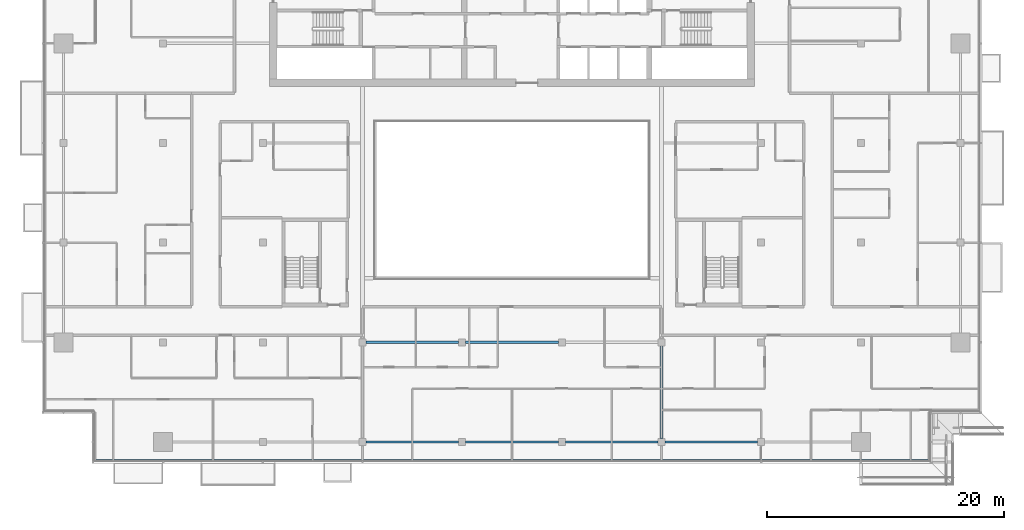
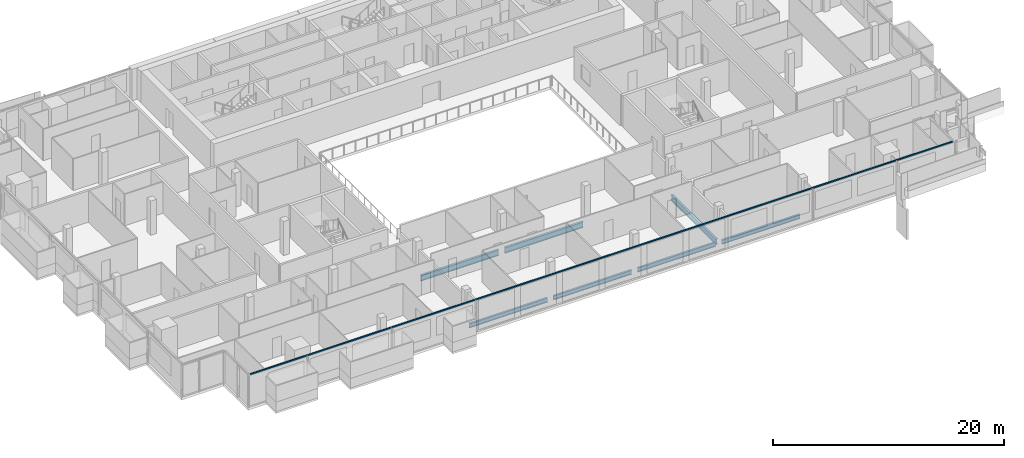
# One storey, part 5 of 30: 7 beams, 1 member, 1 element without a shape of its own.
"""IFC4 building model written with IfcOpenShell, lengths in metres."""

import ifcopenshell
import ifcopenshell.guid

model = None  # the IFC model being written
_history = None  # IfcOwnerHistory: only IFC2X3 demands one
_inside = {}  # id of a spatial element -> (the spatial element, [elements in it])
_under = {}  # id of a project, library or spatial element -> (it, [spatial elements below it])
_declared = {}  # id of a project -> (the project, [libraries it declares])
_typed = {}  # id of a type object -> (the type object, [elements of that type])
_made_of = {}  # id of a material, layer set ... -> (it, [elements and type objects made of it])


def new_model(schema):
    """Start an empty IFC model of exactly this schema.

    Asked for "IFC4X3", IfcOpenShell would pick the latest addendum, in which some entities
    have other attributes; the version numbers below select the first issue.
    IFC2X3 requires an IfcOwnerHistory on every rooted entity: one is made here for all.
    """
    global model, _history
    if schema == "IFC4X3":
        model = ifcopenshell.file(schema_version=(4, 3, 0, 0))
    else:
        model = ifcopenshell.file(schema=schema)
    _inside.clear()
    _under.clear()
    _declared.clear()
    _typed.clear()
    _made_of.clear()
    _history = None
    if model.schema == "IFC2X3":
        org = make("IfcOrganization", Name="unknown")
        user = make(
            "IfcPersonAndOrganization",
            ThePerson=make("IfcPerson", FamilyName="unknown"),
            TheOrganization=org,
        )
        app = make(
            "IfcApplication",
            ApplicationDeveloper=org,
            Version="unknown",
            ApplicationFullName="unknown",
            ApplicationIdentifier="unknown",
        )
        _history = make(
            "IfcOwnerHistory",
            OwningUser=user,
            OwningApplication=app,
            ChangeAction="ADDED",
            CreationDate=0,
        )
    return model


def make(cls, **values):
    """One entity of the class cls with the attributes given. An attribute that is None is left unset."""
    return model.create_entity(
        cls, **{name: value for name, value in values.items() if value is not None}
    )


def rooted(cls, **values):
    """An entity with a GlobalId (a new one), such as an element, a storey or a relation."""
    return make(cls, GlobalId=ifcopenshell.guid.new(), OwnerHistory=_history, **values)


def si_unit(unit_type, name, prefix=None):
    """IfcSIUnit, for example si_unit("LENGTHUNIT", "METRE", prefix="MILLI")."""
    return make("IfcSIUnit", UnitType=unit_type, Prefix=prefix, Name=name)


def assignment(units):
    """IfcUnitAssignment: the units of a project."""
    return None if units is None else make("IfcUnitAssignment", Units=units)


def point(xyz):
    """IfcCartesianPoint."""
    return None if xyz is None else make("IfcCartesianPoint", Coordinates=xyz)


def direction(xyz):
    """IfcDirection."""
    return None if xyz is None else make("IfcDirection", DirectionRatios=xyz)


def frame(location, z_axis=None, x_axis=None):
    """IfcAxis2Placement3D, a coordinate frame: its origin and axes. An axis left out is left unset."""
    return make(
        "IfcAxis2Placement3D",
        Location=point(location),
        Axis=direction(z_axis),
        RefDirection=direction(x_axis),
    )


def frame_2d(location, x_axis=None):
    """IfcAxis2Placement2D, a coordinate frame in the plane: its origin and x axis."""
    return make(
        "IfcAxis2Placement2D", Location=point(location), RefDirection=direction(x_axis)
    )


def origin():
    """The frame at (0, 0, 0) with its axes left unset."""
    return frame((0.0, 0.0, 0.0))


def origin_2d():
    """The frame at (0, 0) in the plane with its x axis left unset."""
    return frame_2d((0.0, 0.0))


def place(relative_to, where):
    """IfcLocalPlacement: puts the frame where relative to a parent placement (None: the world)."""
    return make(
        "IfcLocalPlacement", PlacementRelTo=relative_to, RelativePlacement=where
    )


def context(
    kind, dimensions, precision=None, world=None, true_north=None, identifier=None
):
    """IfcGeometricRepresentationContext, for example the 3D "Model" context."""
    return make(
        "IfcGeometricRepresentationContext",
        ContextIdentifier=identifier,
        ContextType=kind,
        CoordinateSpaceDimension=dimensions,
        Precision=precision,
        WorldCoordinateSystem=world,
        TrueNorth=true_north,
    )


def subcontext(parent, identifier, kind, view, scale=None):
    """IfcGeometricRepresentationSubContext, for example "Body" below "Model"."""
    return make(
        "IfcGeometricRepresentationSubContext",
        ContextIdentifier=identifier,
        ContextType=kind,
        ParentContext=parent,
        TargetScale=scale,
        TargetView=view,
    )


def project(units=None, contexts=None):
    """IfcProject with its units and contexts."""
    return rooted(
        "IfcProject",
        Name="project",
        RepresentationContexts=contexts,
        UnitsInContext=assignment(units),
    )


def spatial(cls, under=None, at=None, **own):
    """A site, building, storey or space (cls), placed at a placement, below another one or the project."""
    s = rooted(cls, ObjectPlacement=at, **own)
    if under is not None:
        _under.setdefault(under.id(), (under, []))[1].append(s)
    return s


def profile(cls, at=None, kind="AREA", **sizes):
    """A parametric profile (cls). Its sizes go by their IFC names, for example OverallWidth=200.0."""
    return make(cls, ProfileType=kind, Position=at, **sizes)


def rectangle(**sizes):
    """IfcRectangleProfileDef."""
    return profile("IfcRectangleProfileDef", **sizes)


def i_section(**sizes):
    """IfcIShapeProfileDef."""
    return profile("IfcIShapeProfileDef", **sizes)


def extrude(swept, where, along, depth):
    """IfcExtrudedAreaSolid: the profile swept, set in the frame where, extruded along a direction by depth."""
    return make(
        "IfcExtrudedAreaSolid",
        SweptArea=swept,
        Position=where,
        ExtrudedDirection=direction(along),
        Depth=depth,
    )


def shape(context_of_items, identifier, shape_type, items):
    """IfcShapeRepresentation: the items that make up one representation, for example the "Body"."""
    return make(
        "IfcShapeRepresentation",
        ContextOfItems=context_of_items,
        RepresentationIdentifier=identifier,
        RepresentationType=shape_type,
        Items=items,
    )


def material(Name=None, Category=None):
    """IfcMaterial."""
    return make("IfcMaterial", Name=Name, Category=Category)


def material_profile(
    of_material, cross_section, Name=None, Category=None, Priority=None
):
    """IfcMaterialProfile: a cross section and its material."""
    return make(
        "IfcMaterialProfile",
        Name=Name,
        Material=of_material,
        Profile=cross_section,
        Priority=Priority,
        Category=Category,
    )


def profile_set(profiles, Name=None, composite=None):
    """IfcMaterialProfileSet."""
    return make(
        "IfcMaterialProfileSet",
        Name=Name,
        MaterialProfiles=profiles,
        CompositeProfile=composite,
    )


def made_of(thing, what):
    """Note that an element or type object is made of a material, layer set ...; save() writes the relation."""
    if what is not None:
        _made_of.setdefault(what.id(), (what, []))[1].append(thing)
    return thing


def type_object(cls, material=None, **own):
    """A type object (cls), such as IfcWallType, which elements share."""
    return made_of(rooted(cls, **own), material)


def element(
    cls,
    number,
    at=None,
    inside=None,
    cuts=None,
    type_object=None,
    material=None,
    context=None,
    identifier="Body",
    shape_type=None,
    held_by="IfcProductDefinitionShape",
    body=None,
    shapes=None,
    **own,
):
    """One element of the class cls, such as IfcWall. Its Tag is "e" and its number.

    at: its placement. inside: the storey or other place that contains it. cuts: it is an
    opening in that element (IfcRelVoidsElement). A single representation is given by context,
    identifier, shape_type and body (its items); several are given by shapes. held_by: the class
    of the entity that holds the representations. save() writes the other relations.
    """
    e = rooted(cls, Tag="e%d" % number, ObjectPlacement=at, **own)
    if body is not None:
        shapes = [shape(context, identifier, shape_type, body)]
    if shapes is not None:
        e.Representation = make(held_by, Representations=shapes)
    if inside is not None:
        _inside.setdefault(inside.id(), (inside, []))[1].append(e)
    if cuts is not None:
        rooted(
            "IfcRelVoidsElement", RelatingBuildingElement=cuts, RelatedOpeningElement=e
        )
    if type_object is not None:
        _typed.setdefault(type_object.id(), (type_object, []))[1].append(e)
    return made_of(e, material)


def aggregate(whole, parts):
    """IfcRelAggregates: a whole, such as a stair, and the parts it consists of."""
    return rooted("IfcRelAggregates", RelatingObject=whole, RelatedObjects=parts)


def save(model, path):
    """Write the relations noted so far, then the file.

    IfcRelAggregates (storeys below a building ...), IfcRelContainedInSpatialStructure (elements
    in a storey), IfcRelDefinesByType, IfcRelAssociatesMaterial and IfcRelDeclares: one each for
    every whole, place, type object, material and project.
    """
    for whole, parts in _under.values():
        aggregate(whole, parts)
    for where, things in _inside.values():
        rooted(
            "IfcRelContainedInSpatialStructure",
            RelatedElements=things,
            RelatingStructure=where,
        )
    for kind, things in _typed.values():
        rooted("IfcRelDefinesByType", RelatedObjects=things, RelatingType=kind)
    for what, things in _made_of.values():
        rooted("IfcRelAssociatesMaterial", RelatedObjects=things, RelatingMaterial=what)
    for by, libraries in _declared.values():
        rooted("IfcRelDeclares", RelatingContext=by, RelatedDefinitions=libraries)
    model.write(path)


model = new_model("IFC4")

# Units and contexts
model_context = context("Model", 3, precision=1e-05, world=origin(), true_north=direction((0.0, 1.0)))
body_context = subcontext(model_context, "Body", "Model", "MODEL_VIEW")
ifc_project = project(units=[si_unit("LENGTHUNIT", "METRE"), si_unit("AREAUNIT", "SQUARE_METRE"), si_unit("VOLUMEUNIT", "CUBIC_METRE"), si_unit("PLANEANGLEUNIT", "RADIAN"), si_unit("MASSUNIT", "GRAM", prefix="KILO")], contexts=[model_context])

# Site, building, storey
site_placement = place(None, origin())
site = spatial("IfcSite", under=ifc_project, at=site_placement, CompositionType="ELEMENT")
building_placement = place(site_placement, origin())
building = spatial("IfcBuilding", under=site, at=building_placement, Name="Saffron Gate Tower", CompositionType="ELEMENT")
storey_placement = place(building_placement, frame((0.0, 0.0, 216.300048828125)))
storey = spatial("IfcBuildingStorey", under=building, at=storey_placement, Name="L52", CompositionType="ELEMENT", Elevation=216.300048828125)

# Beams
ifc_material_1 = material(Name="Structural steel S355", Category="steel")
ifc_material_profile_1 = material_profile(ifc_material_1, i_section(OverallWidth=0.219970703125, OverallDepth=0.60009765625, WebThickness=0.011962890625, FlangeThickness=0.01904296875, FilletRadius=0.02392578125, at=origin_2d()))
ifc_profile_set_1 = profile_set([ifc_material_profile_1], Name="Structural steel S355")
beam_type_1 = type_object("IfcBeamType", Name="B15 IPE 600", PredefinedType="BEAM", material=ifc_profile_set_1)
beam_1_placement = place(storey_placement, frame((100.199951171875, 32.10009765625, -0.580078125), z_axis=(0.0, 1.0, 0.0), x_axis=(-1.0, 0.0, 0.0)))
element("IfcBeam", 1, at=beam_1_placement, inside=storey, type_object=beam_type_1, Name="B15 FLOOR GIRDER", PredefinedType="BEAM", context=body_context, shape_type="SweptSolid", body=[
    extrude(i_section(OverallWidth=0.219970703125, OverallDepth=0.60009765625, WebThickness=0.011962890625, FlangeThickness=0.01904296875, FilletRadius=0.02392578125, at=origin_2d()), origin(), (0.0, 0.0, 1.0), 7.7998046875),
])
for number, where, z_axis, x_axis, name in (
    (2, (75.300048828125, 40.199951171875, -0.580078125), (1.0, 0.0, 0.0), (0.0, 1.0, 0.0), "B15 FLOOR GIRDER"),
    (3, (83.699951171875, 40.199951171875, -0.580078125), (1.0, 0.0, 0.0), (0.0, 1.0, 0.0), "B15 FLOOR GIRDER"),
):
    element("IfcBeam", number, at=place(storey_placement, frame(where, z_axis=z_axis, x_axis=x_axis)), inside=storey, type_object=beam_type_1, Name=name, PredefinedType="BEAM", context=body_context, shape_type="SweptSolid", body=[
        extrude(i_section(OverallWidth=0.219970703125, OverallDepth=0.60009765625, WebThickness=0.011962890625, FlangeThickness=0.01904296875, FilletRadius=0.02392578125, at=origin_2d()), origin(), (0.0, 0.0, 1.0), 7.800048828125),
    ])
ifc_material_profile_2 = material_profile(ifc_material_1, i_section(OverallWidth=0.18994140625, OverallDepth=0.449951171875, WebThickness=0.009521484375, FlangeThickness=0.0146484375, FilletRadius=0.02099609375, at=origin_2d()))
ifc_profile_set_2 = profile_set([ifc_material_profile_2], Name="Structural steel S355")
beam_type_2 = type_object("IfcBeamType", Name="B7 IPE 450", PredefinedType="SPANDREL", material=ifc_profile_set_2)
for number, where, z_axis, x_axis, name in (
    (4, (75.300048828125, 31.800048828125, -0.505126953125), (1.0, 0.0, 0.0), (0.0, 1.0, 0.0), "B7 SPANDREL BEAM"),
    (5, (83.699951171875, 31.800048828125, -0.505126953125), (1.0, 0.0, 0.0), (0.0, 1.0, 0.0), "B7 SPANDREL BEAM"),
):
    element("IfcBeam", number, at=place(storey_placement, frame(where, z_axis=z_axis, x_axis=x_axis)), inside=storey, type_object=beam_type_2, Name=name, PredefinedType="SPANDREL", context=body_context, shape_type="SweptSolid", body=[
        extrude(i_section(OverallWidth=0.18994140625, OverallDepth=0.449951171875, WebThickness=0.009521484375, FlangeThickness=0.0146484375, FilletRadius=0.02099609375, at=origin_2d()), origin(), (0.0, 0.0, 1.0), 7.800048828125),
    ])
beam_2_placement = place(storey_placement, frame((92.10009765625, 31.800048828125, -0.505126953125), z_axis=(1.0, 0.0, 0.0), x_axis=(0.0, 1.0, 0.0)))
element("IfcBeam", 6, at=beam_2_placement, inside=storey, type_object=beam_type_2, Name="B7 SPANDREL BEAM", PredefinedType="SPANDREL", context=body_context, shape_type="SweptSolid", body=[
    extrude(i_section(OverallWidth=0.18994140625, OverallDepth=0.449951171875, WebThickness=0.009521484375, FlangeThickness=0.0146484375, FilletRadius=0.02099609375, at=origin_2d()), origin(), (0.0, 0.0, 1.0), 7.7998046875),
])
beam_3_placement = place(storey_placement, frame((100.5, 31.800048828125, -0.505126953125), z_axis=(1.0, 0.0, 0.0), x_axis=(0.0, 1.0, 0.0)))
element("IfcBeam", 7, at=beam_3_placement, inside=storey, type_object=beam_type_2, Name="B7 SPANDREL BEAM", PredefinedType="SPANDREL", context=body_context, shape_type="SweptSolid", body=[
    extrude(i_section(OverallWidth=0.18994140625, OverallDepth=0.449951171875, WebThickness=0.009521484375, FlangeThickness=0.0146484375, FilletRadius=0.02099609375, at=origin_2d()), origin(), (0.0, 0.0, 1.0), 7.800048828125),
])

# Curtain wall, member
ifc_material_2 = material(Name="Aluminium, bronze anodised", Category="aluminium")
curtain_wall_type = type_object("IfcCurtainWallType", Name="CWS1 curtain wall front facade", PredefinedType="NOTDEFINED", material=ifc_material_2)
curtain_wall_placement = place(storey_placement, origin())
curtain_wall = element("IfcCurtainWall", 8, at=curtain_wall_placement, inside=storey, type_object=curtain_wall_type, Name="CWS1 run 1", PredefinedType="NOTDEFINED")
ifc_material_profile_3 = material_profile(ifc_material_2, rectangle(XDim=0.1201171875, YDim=0.1201171875, at=origin_2d()))
ifc_profile_set_3 = profile_set([ifc_material_profile_3], Name="Aluminium, bronze anodised")
member_type = type_object("IfcMemberType", Name="CWS1 head transom", PredefinedType="USERDEFINED", material=ifc_profile_set_3)
member_placement = place(storey_placement, frame((52.568115234375, 30.248046875, 3.260009765625), z_axis=(1.0, 0.0, 0.0), x_axis=(0.0, 1.0, 0.0)))
member = element("IfcMember", 9, at=member_placement, type_object=member_type, Name="CWS1 head transom", ObjectType="TRANSOM", PredefinedType="USERDEFINED", context=body_context, shape_type="SweptSolid", body=[
    extrude(rectangle(XDim=0.1201171875, YDim=0.1201171875, at=origin_2d()), origin(), (0.0, 0.0, 1.0), 70.06396484375),
])
aggregate(curtain_wall, [member])

save(model, "model.ifc")
